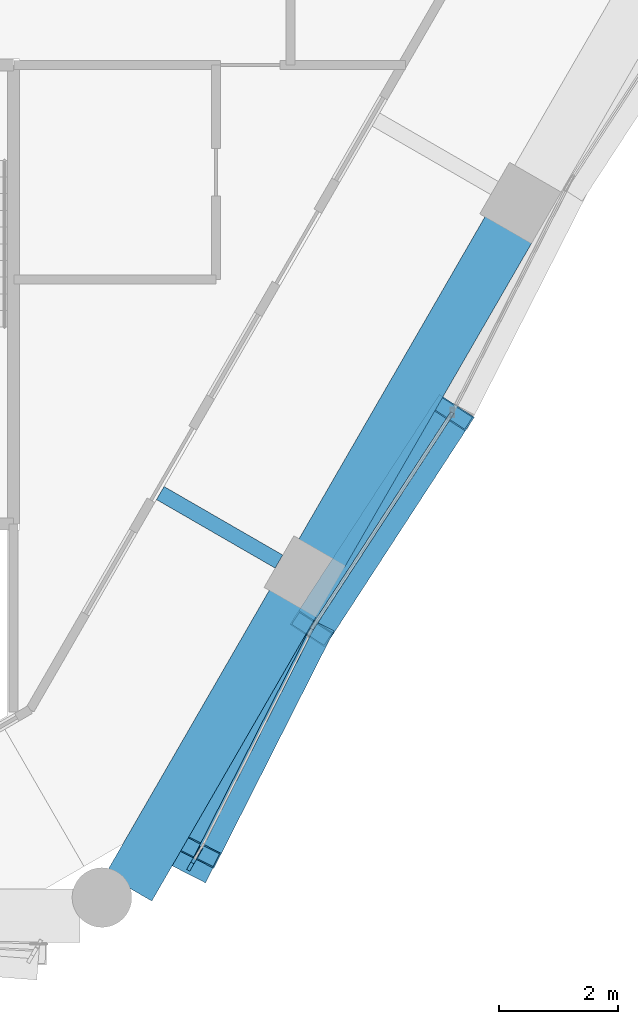
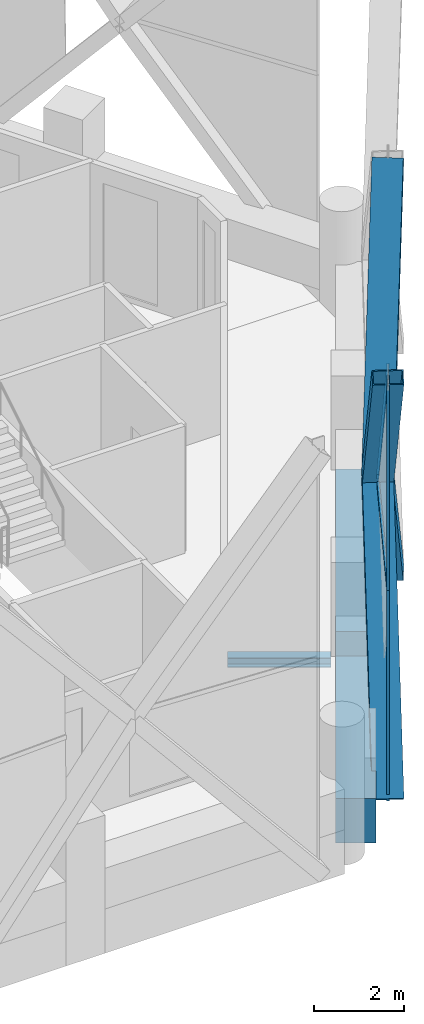
# One storey, part 5 of 18: 8 members, 3 beams, 2 elements without a shape of their own.
"""IFC4 building model written with IfcOpenShell, lengths in metres."""

from ifc_helpers import new_model, si_unit, direction, frame, origin, origin_2d, place, context, subcontext, project, spatial, rectangle, hollow_rectangle, i_section, extrude, material, material_profile, profile_set, type_object, element, aggregate, save


model = new_model("IFC4")

# Units and contexts
model_context = context("Model", 3, precision=1e-05, world=origin(), true_north=direction((0.0, 1.0)))
body_context = subcontext(model_context, "Body", "Model", "MODEL_VIEW")
ifc_project = project(units=[si_unit("LENGTHUNIT", "METRE"), si_unit("AREAUNIT", "SQUARE_METRE"), si_unit("VOLUMEUNIT", "CUBIC_METRE"), si_unit("PLANEANGLEUNIT", "RADIAN"), si_unit("MASSUNIT", "GRAM", prefix="KILO")], contexts=[model_context])

# Site, building, storey
site_placement = place(None, origin())
site = spatial("IfcSite", under=ifc_project, at=site_placement, CompositionType="ELEMENT")
building_placement = place(site_placement, origin())
building = spatial("IfcBuilding", under=site, at=building_placement, Name="Ostrander Bayou Hotel Tower", CompositionType="ELEMENT")
storey_placement = place(building_placement, frame((0.0, 0.0, 175.75)))
storey = spatial("IfcBuildingStorey", under=building, at=storey_placement, Name="L43", CompositionType="ELEMENT", Elevation=175.75)

# Curtain wall, members
ifc_material_1 = material(Name="Aluminium and clear glass", Category="aluminium")
curtain_wall_type = type_object("IfcCurtainWallType", Name="CW-LAT lattice glazing", PredefinedType="NOTDEFINED", material=ifc_material_1)
curtain_wall_1_placement = place(storey_placement, origin())
curtain_wall_1 = element("IfcCurtainWall", 1, at=curtain_wall_1_placement, inside=storey, type_object=curtain_wall_type, Name="CW-LAT L43 SE 1", PredefinedType="NOTDEFINED")
ifc_material_2 = material(Name="Aluminium", Category="aluminium")
ifc_material_profile_1 = material_profile(ifc_material_2, hollow_rectangle(XDim=0.06005859375, YDim=0.159912109375, WallThickness=0.00390625, at=origin_2d()))
ifc_profile_set_1 = profile_set([ifc_material_profile_1], Name="Aluminium")
member_type_1 = type_object("IfcMemberType", Name="CW-LA mullion 60 x 160 mm", PredefinedType="MULLION", material=ifc_profile_set_1)
member_1_placement = place(storey_placement, frame((12.123046875, -17.14208984375, -0.60009765625), z_axis=(0.012626192954, 0.021824656549, 0.999682081273), x_axis=(-0.865583332221, 0.500764909893, 0.0)))
member_1 = element("IfcMember", 2, at=member_1_placement, type_object=member_type_1, Name="CW-LAT mullion 1", PredefinedType="MULLION", context=body_context, shape_type="SweptSolid", body=[
    extrude(hollow_rectangle(XDim=0.06005859375, YDim=0.159912109375, WallThickness=0.00390625, at=origin_2d()), origin(), (0.0, 0.0, 1.0), 5.626708984375),
])
member_2_placement = place(storey_placement, frame((12.194091796875, -17.019287109375, 5.02490234375), z_axis=(0.012582810856, 0.021824668484, 0.999682627996), x_axis=(-0.866328918095, 0.499473928922, 0.0)))
member_2 = element("IfcMember", 3, at=member_2_placement, type_object=member_type_1, Name="CW-LAT mullion 2", PredefinedType="MULLION", context=body_context, shape_type="SweptSolid", body=[
    extrude(hollow_rectangle(XDim=0.06005859375, YDim=0.159912109375, WallThickness=0.00390625, at=origin_2d()), origin(), (0.0, 0.0, 1.0), 5.626708984375),
])
aggregate(curtain_wall_1, [member_1, member_2])

curtain_wall_2_placement = place(storey_placement, origin())
curtain_wall_2 = element("IfcCurtainWall", 4, at=curtain_wall_2_placement, inside=storey, type_object=curtain_wall_type, Name="CW-LAT L43 SE 2", PredefinedType="NOTDEFINED")
ifc_material_3 = material(Name="Aluminium", Category="aluminium")
ifc_material_profile_2 = material_profile(ifc_material_3, hollow_rectangle(XDim=0.06005859375, YDim=0.1201171875, WallThickness=0.00390625, at=origin_2d()))
ifc_profile_set_2 = profile_set([ifc_material_profile_2], Name="Aluminium")
member_type_2 = type_object("IfcMemberType", Name="CW-LA transom 60 x 120 mm", PredefinedType="USERDEFINED", material=ifc_profile_set_2)
member_3_placement = place(storey_placement, frame((12.194091796875, -17.019287109375, 5.02490234375), z_axis=(0.453229200101, 0.891394016233, 0.0), x_axis=(-0.891394016233, 0.453229200101, 0.0)))
member_3 = element("IfcMember", 5, at=member_3_placement, type_object=member_type_2, Name="CW-LAT transom 3", ObjectType="TRANSOM", PredefinedType="USERDEFINED", context=body_context, shape_type="SweptSolid", body=[
    extrude(hollow_rectangle(XDim=0.06005859375, YDim=0.1201171875, WallThickness=0.00390625, at=origin_2d()), origin(), (0.0, 0.0, 1.0), 4.3271484375),
])
member_4_placement = place(storey_placement, frame((16.51513671875, -9.534912109375, 5.02490234375), z_axis=(-0.545343273616, -0.838212809447, 0.0), x_axis=(0.838212809447, -0.545343273616, 0.0)))
member_4 = element("IfcMember", 6, at=member_4_placement, type_object=member_type_2, Name="CW-LAT transom 6", ObjectType="TRANSOM", PredefinedType="USERDEFINED", context=body_context, shape_type="SweptSolid", body=[
    extrude(hollow_rectangle(XDim=0.06005859375, YDim=0.1201171875, WallThickness=0.00390625, at=origin_2d()), origin(), (0.0, 0.0, 1.0), 4.327392578125),
])
aggregate(curtain_wall_2, [member_3, member_4])

# Beam
ifc_material_4 = material(Name="Steel ASTM A992", Category="steel")
ifc_material_profile_3 = material_profile(ifc_material_4, i_section(OverallWidth=0.25390625, OverallDepth=0.25341796875, WebThickness=0.008544921875, FlangeThickness=0.01416015625, at=origin_2d()))
ifc_profile_set_3 = profile_set([ifc_material_profile_3], Name="Steel ASTM A992")
beam_type_1 = type_object("IfcBeamType", Name="LB2 loggia bracket W10x49", PredefinedType="BEAM", material=ifc_profile_set_3)
beam_1_placement = place(storey_placement, frame((13.606201171875, -12.033203125, -0.4267578125), z_axis=(-0.86602648383, 0.499998129301, 0.0), x_axis=(-0.499998129301, -0.86602648383, 0.0)))
element("IfcBeam", 7, at=beam_1_placement, inside=storey, type_object=beam_type_1, Name="LB2 L43 SE1", PredefinedType="BEAM", context=body_context, shape_type="SweptSolid", body=[
    extrude(i_section(OverallWidth=0.25390625, OverallDepth=0.25341796875, WebThickness=0.008544921875, FlangeThickness=0.01416015625, at=origin_2d()), origin(), (0.0, 0.0, 1.0), 2.2998046875),
])

# Members
ifc_material_5 = material(Name="Steel ASTM A572 Gr 50", Category="steel")
ifc_material_profile_4 = material_profile(ifc_material_5, hollow_rectangle(XDim=0.699951171875, YDim=0.35009765625, WallThickness=0.02490234375, at=origin_2d()))
ifc_profile_set_4 = profile_set([ifc_material_profile_4], Name="Steel ASTM A572 Gr 50")
member_type_3 = type_object("IfcMemberType", Name="LT1 lattice member box 700 x 350 x 25 mm", PredefinedType="BRACE", material=ifc_profile_set_4)
member_5_placement = place(storey_placement, frame((14.1552734375, -13.162109375, 5.02490234375), z_axis=(-0.282879690251, -0.554001046428, -0.782982708238), x_axis=(0.890614680685, -0.454758716846, 0.0)))
element("IfcMember", 8, at=member_5_placement, inside=storey, type_object=member_type_3, Name="LT1 L43 SE 1", PredefinedType="BRACE", context=body_context, shape_type="SweptSolid", body=[
    extrude(hollow_rectangle(XDim=0.699951171875, YDim=0.35009765625, WallThickness=0.02490234375, at=origin_2d()), origin(), (0.0, 0.0, 1.0), 7.18408203125),
])
member_6_placement = place(storey_placement, frame((14.1552734375, -13.162109375, 5.02490234375), z_axis=(-0.269615344054, -0.532614787893, 0.802264952474), x_axis=(0.8921997051, -0.451641103333, 0.0)))
element("IfcMember", 9, at=member_6_placement, inside=storey, type_object=member_type_3, Name="LT1 L43 SE 2", PredefinedType="BRACE", context=body_context, shape_type="SweptSolid", body=[
    extrude(hollow_rectangle(XDim=0.699951171875, YDim=0.35009765625, WallThickness=0.02490234375, at=origin_2d()), origin(), (0.0, 0.0, 1.0), 7.011474609375),
])
for number, where, z_axis, x_axis, name in (
    (10, (14.1552734375, -13.162109375, 5.02490234375), (0.332519799468, 0.51109524733, -0.792598404691), (-0.838212809447, 0.545343273616, 0.0), "LT1 L43 SE 3"),
    (11, (14.1552734375, -13.162109375, 5.02490234375), (0.332519799468, 0.51109524733, 0.792598404691), (-0.838212809447, 0.545343273616, 0.0), "LT1 L43 SE 4"),
):
    element("IfcMember", number, at=place(storey_placement, frame(where, z_axis=z_axis, x_axis=x_axis)), inside=storey, type_object=member_type_3, Name=name, PredefinedType="BRACE", context=body_context, shape_type="SweptSolid", body=[
        extrude(hollow_rectangle(XDim=0.699951171875, YDim=0.35009765625, WallThickness=0.02490234375, at=origin_2d()), origin(), (0.0, 0.0, 1.0), 7.096923828125),
    ])

# Beams
ifc_material_6 = material(Name="Concrete f'c 60 MPa", Category="concrete")
ifc_material_profile_5 = material_profile(ifc_material_6, rectangle(XDim=0.89990234375, YDim=1.199951171875, at=origin_2d()))
ifc_profile_set_5 = profile_set([ifc_material_profile_5], Name="Concrete f'c 60 MPa")
beam_type_2 = type_object("IfcBeamType", Name="SP3 spandrel beam 900 x 1200 mm f'c 60 MPa", PredefinedType="SPANDREL", material=ifc_profile_set_5)
beam_2_placement = place(storey_placement, frame((11.0830078125, -17.50390625, -0.60009765625), z_axis=(0.499961976493, 0.866047355554, 0.0), x_axis=(-0.866047355554, 0.499961976493, 0.0)))
element("IfcBeam", 12, at=beam_2_placement, inside=storey, type_object=beam_type_2, Name="SP3 L43 SE-1", PredefinedType="SPANDREL", context=body_context, shape_type="SweptSolid", body=[
    extrude(rectangle(XDim=0.89990234375, YDim=1.199951171875, at=origin_2d()), origin(), (0.0, 0.0, 1.0), 5.529296875),
])
beam_3_placement = place(storey_placement, frame((14.3173828125, -11.9013671875, -0.60009765625), z_axis=(0.500013351051, 0.866017695414, 0.0), x_axis=(-0.866017695414, 0.500013351051, 0.0)))
element("IfcBeam", 13, at=beam_3_placement, inside=storey, type_object=beam_type_2, Name="SP3 L43 SE-2", PredefinedType="SPANDREL", context=body_context, shape_type="SweptSolid", body=[
    extrude(rectangle(XDim=0.89990234375, YDim=1.199951171875, at=origin_2d()), origin(), (0.0, 0.0, 1.0), 6.296142578125),
])

save(model, "model.ifc")
